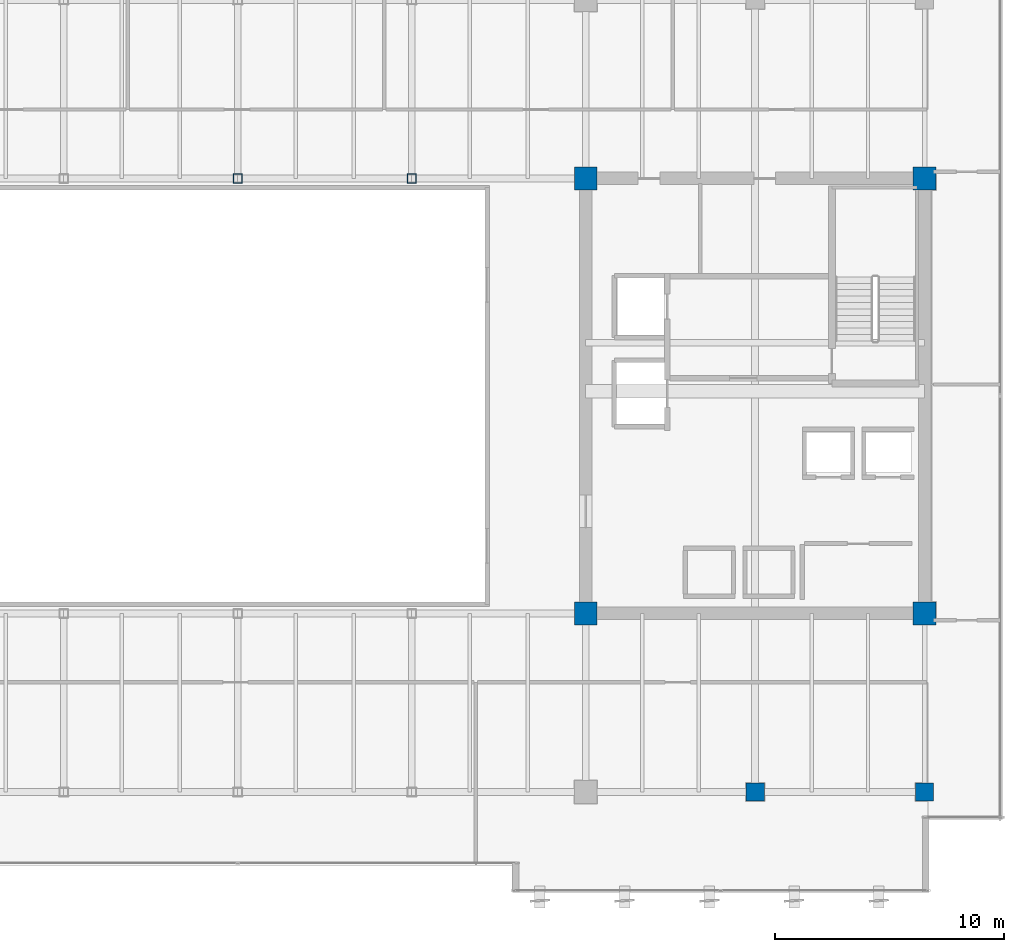
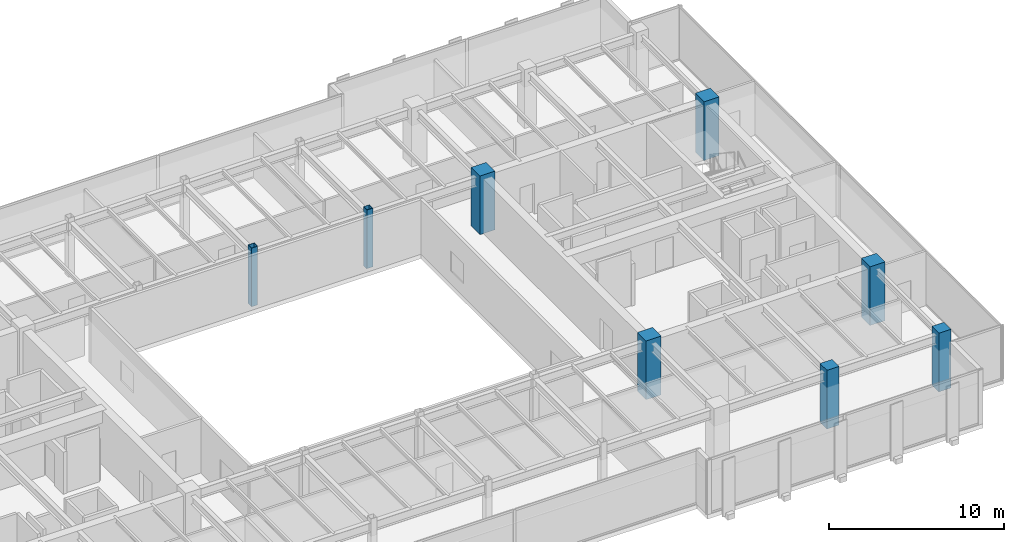
# One storey, part 2 of 35: 8 columns.
"""IFC4 building model written with IfcOpenShell, lengths in metres."""

from ifc_helpers import new_model, si_unit, direction, frame, origin, origin_2d, place, context, subcontext, project, spatial, rectangle, hollow_rectangle, extrude, source, transform, mapped, material, material_profile, profile_set, type_object, type_shapes, element, save


model = new_model("IFC4")

# Units and contexts
model_context = context("Model", 3, precision=1e-05, world=origin(), true_north=direction((0.0, 1.0)))
body_context = subcontext(model_context, "Body", "Model", "MODEL_VIEW")
ifc_project = project(units=[si_unit("LENGTHUNIT", "METRE"), si_unit("AREAUNIT", "SQUARE_METRE"), si_unit("VOLUMEUNIT", "CUBIC_METRE"), si_unit("PLANEANGLEUNIT", "RADIAN"), si_unit("MASSUNIT", "GRAM", prefix="KILO")], contexts=[model_context])

# Site, building, storey
site_placement = place(None, origin())
site = spatial("IfcSite", under=ifc_project, at=site_placement, CompositionType="ELEMENT")
building_placement = place(site_placement, origin())
building = spatial("IfcBuilding", under=site, at=building_placement, Name="Haelvirn Gate Laboratories", CompositionType="ELEMENT")
storey_placement = place(building_placement, frame((0.0, 0.0, 201.39990234375)))
storey = spatial("IfcBuildingStorey", under=building, at=storey_placement, Name="L48", CompositionType="ELEMENT", Elevation=201.39990234375)

# Columns
ifc_material_1 = material(Name="Concrete C60/75", Category="concrete")
ifc_material_profile_1 = material_profile(ifc_material_1, rectangle(XDim=1.0, YDim=1.0, at=origin_2d()), Name="RC-1000x1000")
ifc_profile_set_1 = profile_set([ifc_material_profile_1], Name="Concrete C60/75")
column_type_1 = type_object("IfcColumnType", Name="COL-RC-1000", PredefinedType="COLUMN", material=ifc_profile_set_1)
shared_shape_1 = source(origin(), body_context, "Body", "SweptSolid", [
    extrude(rectangle(XDim=1.0, YDim=1.0, at=origin_2d()), origin(), (0.0, 0.0, 1.0), 4.10009765625),
])
type_shapes(column_type_1, [shared_shape_1])
for number, where, z_axis, x_axis, name in (
    (1, (52.60009765625, 14.800048828125, 0.0), (0.0, 0.0, 1.0), (1.0, 0.0, 0.0), "L48 Column 8C"),
    (2, (67.39990234375, 14.800048828125, 0.0), (0.0, 0.0, 1.0), (1.0, 0.0, 0.0), "L48 Column 10C"),
    (3, (52.60009765625, 33.800048828125, 0.0), (0.0, 0.0, 1.0), (1.0, 0.0, 0.0), "L48 Column 8F"),
    (4, (67.39990234375, 33.800048828125, 0.0), (0.0, 0.0, 1.0), (1.0, 0.0, 0.0), "L48 Column 10F"),
):
    element("IfcColumn", number, at=place(storey_placement, frame(where, z_axis=z_axis, x_axis=x_axis)), inside=storey, type_object=column_type_1, Name=name, PredefinedType="COLUMN", context=body_context, shape_type="MappedRepresentation", body=[
        mapped(shared_shape_1, transform((0.0, 0.0, 0.0), scale=1.0)),
    ])
ifc_material_2 = material(Name="Concrete C50/60", Category="concrete")
ifc_material_profile_2 = material_profile(ifc_material_2, rectangle(XDim=0.800048828125, YDim=0.800048828125, at=origin_2d()), Name="RC-800x800")
ifc_profile_set_2 = profile_set([ifc_material_profile_2], Name="Concrete C50/60")
column_type_2 = type_object("IfcColumnType", Name="COL-RC-800", PredefinedType="COLUMN", material=ifc_profile_set_2)
shared_shape_2 = source(origin(), body_context, "Body", "SweptSolid", [
    extrude(rectangle(XDim=0.800048828125, YDim=0.800048828125, at=origin_2d()), origin(), (0.0, 0.0, 1.0), 4.10009765625),
])
type_shapes(column_type_2, [shared_shape_2])
for number, where, z_axis, x_axis, name in (
    (5, (60.0, 7.0, 0.0), (0.0, 0.0, 1.0), (1.0, 0.0, 0.0), "L48 Column 9B"),
    (6, (67.39990234375, 7.0, 0.0), (0.0, 0.0, 1.0), (1.0, 0.0, 0.0), "L48 Column 10B"),
):
    element("IfcColumn", number, at=place(storey_placement, frame(where, z_axis=z_axis, x_axis=x_axis)), inside=storey, type_object=column_type_2, Name=name, PredefinedType="COLUMN", context=body_context, shape_type="MappedRepresentation", body=[
        mapped(shared_shape_2, transform((0.0, 0.0, 0.0), scale=1.0)),
    ])
ifc_material_3 = material(Name="Steel SM355", Category="steel")
ifc_material_profile_3 = material_profile(ifc_material_3, hollow_rectangle(XDim=0.39990234375, YDim=0.39990234375, WallThickness=0.01904296875, at=origin_2d()), Name="BOX-400x400x19")
ifc_profile_set_3 = profile_set([ifc_material_profile_3], Name="Steel SM355")
column_type_3 = type_object("IfcColumnType", Name="COL-BOX-400", PredefinedType="COLUMN", material=ifc_profile_set_3)
shared_shape_3 = source(origin(), body_context, "Body", "SweptSolid", [
    extrude(hollow_rectangle(XDim=0.39990234375, YDim=0.39990234375, WallThickness=0.01904296875, at=origin_2d()), origin(), (0.0, 0.0, 1.0), 4.10009765625),
])
type_shapes(column_type_3, [shared_shape_3])
for number, where, z_axis, x_axis, name in (
    (7, (37.39990234375, 33.800048828125, 0.0), (0.0, 0.0, 1.0), (1.0, 0.0, 0.0), "L48 Column 6F"),
    (8, (45.0, 33.800048828125, 0.0), (0.0, 0.0, 1.0), (1.0, 0.0, 0.0), "L48 Column 7F"),
):
    element("IfcColumn", number, at=place(storey_placement, frame(where, z_axis=z_axis, x_axis=x_axis)), inside=storey, type_object=column_type_3, Name=name, PredefinedType="COLUMN", context=body_context, shape_type="MappedRepresentation", body=[
        mapped(shared_shape_3, transform((0.0, 0.0, 0.0), scale=1.0)),
    ])

save(model, "model.ifc")
